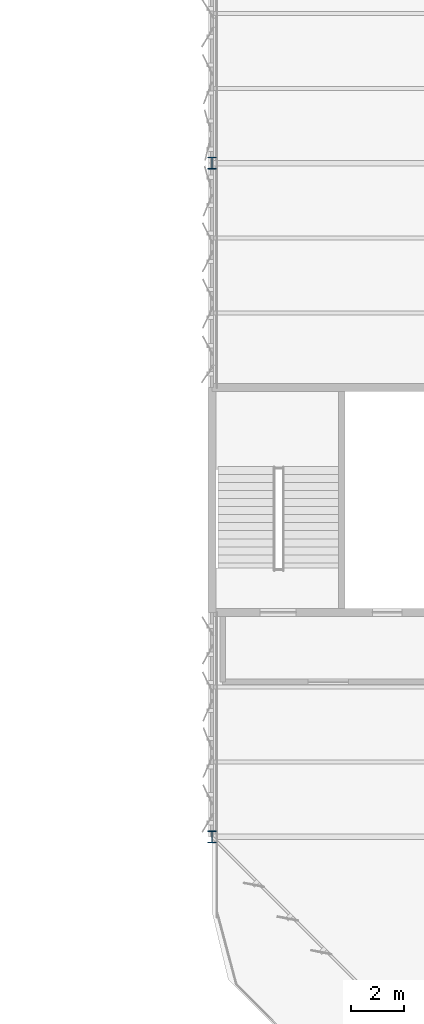
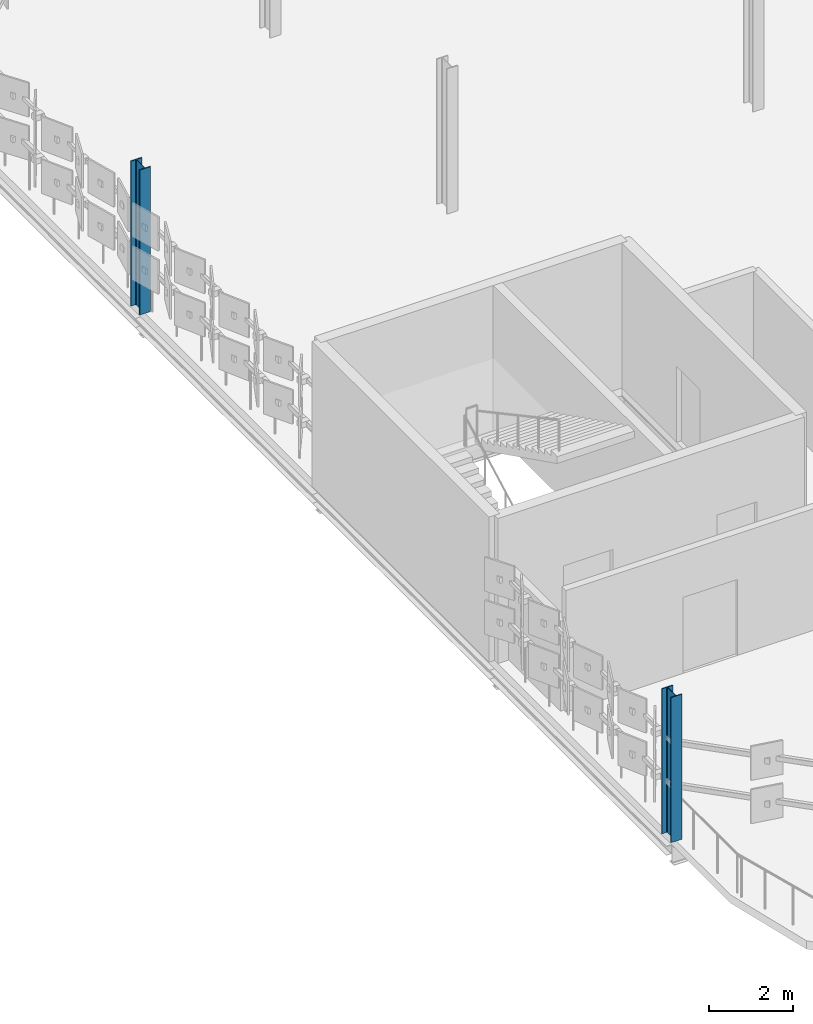
# One storey, part 4 of 69: 2 columns.
"""IFC4 building model written with IfcOpenShell, lengths in metres."""

from ifc_helpers import new_model, si_unit, direction, frame, origin, origin_2d, place, context, subcontext, project, spatial, i_section, extrude, material, material_profile, profile_set, type_object, element, save


model = new_model("IFC4")

# Units and contexts
model_context = context("Model", 3, precision=1e-05, world=origin(), true_north=direction((0.0, 1.0)))
body_context = subcontext(model_context, "Body", "Model", "MODEL_VIEW")
ifc_project = project(units=[si_unit("LENGTHUNIT", "METRE"), si_unit("AREAUNIT", "SQUARE_METRE"), si_unit("VOLUMEUNIT", "CUBIC_METRE"), si_unit("PLANEANGLEUNIT", "RADIAN"), si_unit("MASSUNIT", "GRAM", prefix="KILO")], contexts=[model_context])

# Site, building, storey
site_placement = place(None, origin())
site = spatial("IfcSite", under=ifc_project, at=site_placement, CompositionType="ELEMENT")
building_placement = place(site_placement, origin())
building = spatial("IfcBuilding", under=site, at=building_placement, Name="Qalvenar Corner Mobility Hub", CompositionType="ELEMENT")
storey_placement = place(building_placement, frame((0.0, 0.0, 13.199951171875)))
storey = spatial("IfcBuildingStorey", under=building, at=storey_placement, Name="L03", CompositionType="ELEMENT", Elevation=13.199951171875)

# Columns
ifc_material = material(Name="Steel S355", Category="steel")
ifc_material_profile = material_profile(ifc_material, i_section(OverallWidth=0.300048828125, OverallDepth=0.449951171875, WebThickness=0.013916015625, FlangeThickness=0.02587890625, FilletRadius=0.027099609375, at=origin_2d()), Name="HEB450")
ifc_profile_set = profile_set([ifc_material_profile], Name="Steel S355")
column_type = type_object("IfcColumnType", Name="COL-HEB450", PredefinedType="COLUMN", material=ifc_profile_set)
for number, where, z_axis, x_axis, name in (
    (1, (58.800048828125, 75.60009765625, 0.0), (0.0, 0.0, 1.0), (1.0, 0.0, 0.0), "Steel Column L03-G8-9"),
    (2, (58.800048828125, 100.800048828125, 0.0), (0.0, 0.0, 1.0), (1.0, 0.0, 0.0), "Steel Column L03-G8-12"),
):
    element("IfcColumn", number, at=place(storey_placement, frame(where, z_axis=z_axis, x_axis=x_axis)), inside=storey, type_object=column_type, Name=name, PredefinedType="COLUMN", context=body_context, shape_type="SweptSolid", body=[
        extrude(i_section(OverallWidth=0.300048828125, OverallDepth=0.449951171875, WebThickness=0.013916015625, FlangeThickness=0.02587890625, FilletRadius=0.027099609375, at=origin_2d()), origin(), (0.0, 0.0, 1.0), 4.199951171875),
    ])

save(model, "model.ifc")
